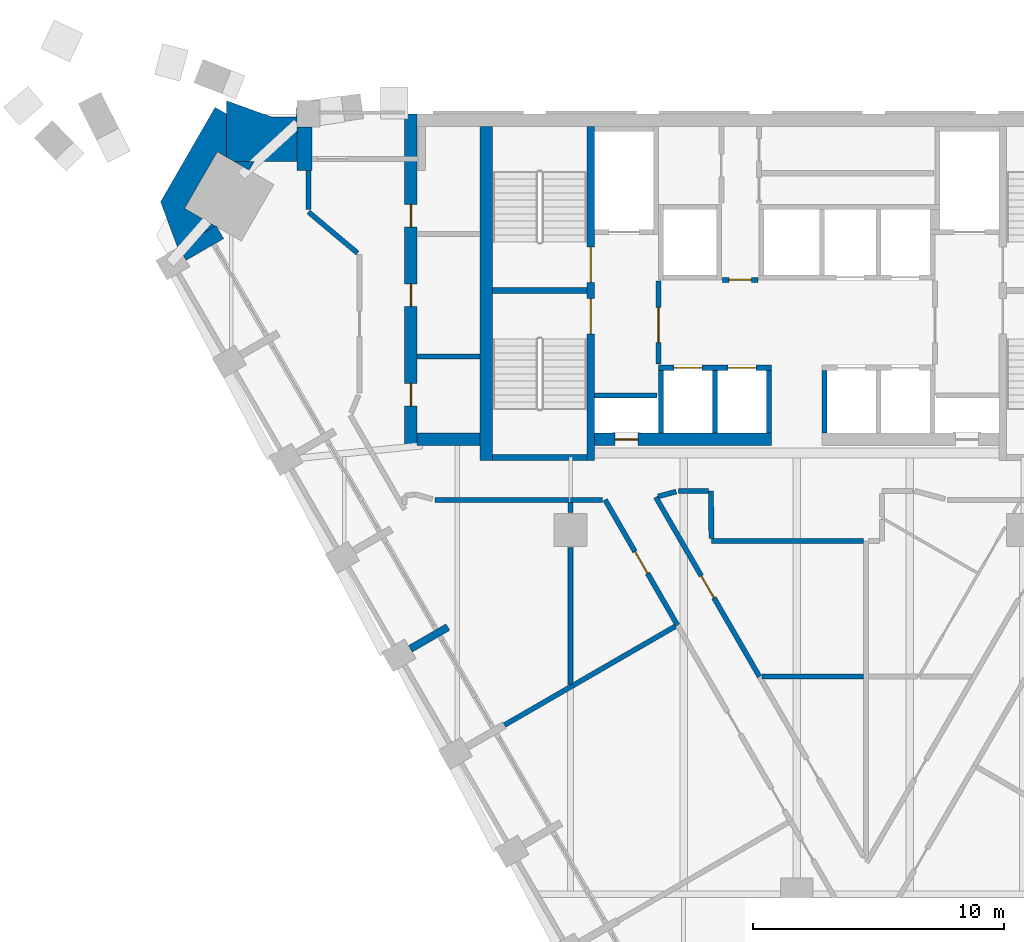
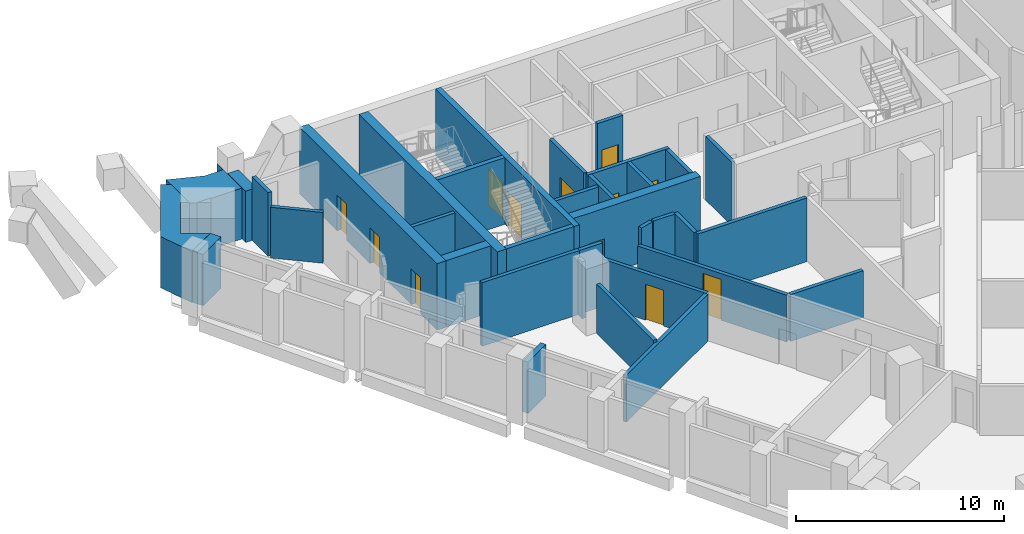
# One storey, part 5 of 10: 36 walls, 12 doors, 12 openings.
"""IFC4 building model written with IfcOpenShell, lengths in metres."""

from ifc_helpers import new_model, si_unit, direction, frame, frame_2d, origin, place, context, subcontext, project, spatial, polyline, rectangle, outline, extrude, material, layer, layer_set, type_object, element, fill, save


model = new_model("IFC4")

# Units and contexts
model_context = context("Model", 3, precision=1e-05, world=origin(), true_north=direction((0.0, 1.0)))
body_context = subcontext(model_context, "Body", "Model", "MODEL_VIEW")
ifc_project = project(units=[si_unit("LENGTHUNIT", "METRE"), si_unit("AREAUNIT", "SQUARE_METRE"), si_unit("VOLUMEUNIT", "CUBIC_METRE"), si_unit("PLANEANGLEUNIT", "RADIAN"), si_unit("MASSUNIT", "GRAM", prefix="KILO")], contexts=[model_context])

# Site, building, storey
site_placement = place(None, origin())
site = spatial("IfcSite", under=ifc_project, at=site_placement, CompositionType="ELEMENT")
building_placement = place(site_placement, origin())
building = spatial("IfcBuilding", under=site, at=building_placement, Name="Calabash Gate Tower", CompositionType="ELEMENT")
storey_placement = place(building_placement, frame((0.0, 0.0, 187.5)))
storey = spatial("IfcBuildingStorey", under=building, at=storey_placement, Name="L44", CompositionType="ELEMENT", Elevation=187.5)

# Walls
ifc_material_1 = material(Name="Terracotta brick masonry, exposed face", Category="masonry")
ifc_layer_1 = layer(ifc_material_1, 2.425048828125)
ifc_layer_set_1 = layer_set([ifc_layer_1], Name="Brick corner mass wall 2425")
wall_type_1 = type_object("IfcWallType", Name="Brick corner mass wall 2425", PredefinedType="SOLIDWALL", material=ifc_layer_set_1)
wall_1_placement = place(storey_placement, origin())
element("IfcWall", 1, at=wall_1_placement, inside=storey, type_object=wall_type_1, Name="Brick corner pier S12 4a", PredefinedType="SOLIDWALL", context=body_context, shape_type="SweptSolid", body=[
    extrude(outline(polyline([(-22.376220703125, 17.152587890625), (-19.878173828125, 17.152587890625), (-19.878173828125, 19.57763671875), (-19.916015625, 18.93701171875), (-20.916015625, 18.93701171875), (-22.68798828125, 19.57763671875), (-22.68798828125, 17.33251953125), (-22.376220703125, 17.152587890625)])), origin(), (0.0, 0.0, 1.0), 2.9736328125),
])
wall_2_placement = place(storey_placement, origin())
element("IfcWall", 2, at=wall_2_placement, inside=storey, type_object=wall_type_1, Name="Brick corner pier S12 4ba", PredefinedType="SOLIDWALL", context=body_context, shape_type="SweptSolid", body=[
    extrude(outline(polyline([(-24.630126953125, 13.730712890625), (-23.137939453125, 14.590087890625), (-24.353759765625, 15.292236328125), (-23.0537109375, 17.5439453125), (-22.68798828125, 17.33251953125), (-22.68798828125, 19.052490234375), (-23.142578125, 19.31494140625), (-25.313232421875, 15.555419921875), (-24.630126953125, 13.730712890625)])), origin(), (0.0, 0.0, 1.0), 3.0),
])
wall_3_placement = place(storey_placement, origin())
element("IfcWall", 3, at=wall_3_placement, inside=storey, type_object=wall_type_1, Name="Brick corner pier S12 4bb", PredefinedType="SOLIDWALL", context=body_context, shape_type="SweptSolid", body=[
    extrude(outline(polyline([(-21.5908203125, 17.152587890625), (-22.376220703125, 17.152587890625), (-21.787353515625, 16.8125), (-21.5908203125, 17.152587890625)])), origin(), (0.0, 0.0, 1.0), 3.0),
])
ifc_material_2 = material(Name="Terracotta brick masonry, exposed face", Category="masonry")
ifc_layer_2 = layer(ifc_material_2, 0.300048828125)
ifc_layer_set_2 = layer_set([ifc_layer_2], Name="Brick loggia cheek wall 300")
wall_type_2 = type_object("IfcWallType", Name="Brick loggia cheek wall 300", PredefinedType="SOLIDWALL", material=ifc_layer_set_2)
wall_4_placement = place(storey_placement, frame((-22.954345703125, 14.349609375, 0.0), z_axis=(0.0, 0.0, 1.0), x_axis=(-0.865994550583, -0.500053435504, 0.0)))
element("IfcWall", 4, at=wall_4_placement, inside=storey, type_object=wall_type_2, Name="Loggia cheek S12 SW0.0", PredefinedType="SOLIDWALL", context=body_context, shape_type="SweptSolid", body=[
    extrude(rectangle(XDim=1.723876953125, YDim=0.60009765625, at=frame_2d((0.86181640625, 0.0))), origin(), (0.0, 0.0, 1.0), 3.0),
])
wall_5_placement = place(storey_placement, frame((-15.373291015625, -2.231201171875, 0.0), z_axis=(0.0, 0.0, 1.0), x_axis=(0.866074815912, 0.499914405916, 0.0)))
element("IfcWall", 5, at=wall_5_placement, inside=storey, type_object=wall_type_2, Name="Loggia cheek S12 SW0.4", PredefinedType="SOLIDWALL", context=body_context, shape_type="SweptSolid", body=[
    extrude(rectangle(XDim=1.724853515625, YDim=0.300048828125, at=frame_2d((0.8623046875, 0.0))), origin(), (0.0, 0.0, 1.0), 3.0),
])
wall_6_placement = place(storey_placement, origin())
element("IfcWall", 6, at=wall_6_placement, inside=storey, type_object=wall_type_2, Name="Loggia cheek S12 N6.9", PredefinedType="SOLIDWALL", context=body_context, shape_type="SweptSolid", body=[
    extrude(outline(polyline([(-19.878173828125, 18.527587890625), (-19.878173828125, 16.802490234375), (-19.278076171875, 16.802490234375), (-19.278076171875, 18.527587890625), (-19.878173828125, 18.527587890625)])), origin(), (0.0, 0.0, 1.0), 3.0),
])
ifc_material_3 = material(Name="Gypsum board on steel studs, mineral wool", Category="steel")
ifc_layer_3 = layer(ifc_material_3, 0.199951171875)
ifc_layer_set_3 = layer_set([ifc_layer_3], Name="Core partition 200 gypsum board")
wall_type_3 = type_object("IfcWallType", Name="Core partition 200 gypsum board", PredefinedType="PARTITIONING", material=ifc_layer_set_3)
wall_7_placement = place(storey_placement, frame((-15.10009765625, 9.402587890625, 0.0), z_axis=(0.0, 0.0, 1.0), x_axis=(1.0, 0.0, 0.0)))
element("IfcWall", 7, at=wall_7_placement, inside=storey, type_object=wall_type_3, Name="Core partition", PredefinedType="PARTITIONING", context=body_context, shape_type="SweptSolid", body=[
    extrude(rectangle(XDim=2.5, YDim=0.199951171875, at=frame_2d((1.25, 0.0))), origin(), (0.0, 0.0, 1.0), 3.72998046875),
])
ifc_material_4 = material(Name="Concrete C70/85", Category="concrete")
ifc_layer_4 = layer(ifc_material_4, 0.25)
ifc_layer_set_4 = layer_set([ifc_layer_4], Name="Core wall 250 Concrete C70/85")
wall_type_4 = type_object("IfcWallType", Name="Core wall 250 Concrete C70/85", PredefinedType="SHEAR", material=ifc_layer_set_4)
for number, where, z_axis, x_axis, name in (
    (8, (-12.10009765625, 12.027587890625, 0.0), (0.0, 0.0, 1.0), (1.0, 0.0, 0.0), "Core wall Z3-MIDW L44"),
    (9, (-12.10009765625, 5.377685546875, 0.0), (0.0, 0.0, 1.0), (1.0, 0.0, 0.0), "Core wall Z3-SSW L44"),
):
    element("IfcWall", number, at=place(storey_placement, frame(where, z_axis=z_axis, x_axis=x_axis)), inside=storey, type_object=wall_type_4, Name=name, PredefinedType="SHEAR", context=body_context, shape_type="SweptSolid", body=[
        extrude(rectangle(XDim=3.75, YDim=0.25, at=frame_2d((1.875, 0.0))), origin(), (0.0, 0.0, 1.0), 3.89990234375),
    ])

# Wall, openings, doors
ifc_material_5 = material(Name="Concrete C70/85", Category="concrete")
ifc_layer_5 = layer(ifc_material_5, 0.300048828125)
ifc_layer_set_5 = layer_set([ifc_layer_5], Name="Core wall 300 Concrete C70/85")
wall_type_5 = type_object("IfcWallType", Name="Core wall 300 Concrete C70/85", PredefinedType="SHEAR", material=ifc_layer_set_5)
wall_8_placement = place(storey_placement, frame((-8.199951171875, 5.252685546875, 0.0), z_axis=(0.0, 0.0, 1.0), x_axis=(0.0, 1.0, 0.0)))
wall_8 = element("IfcWall", 10, at=wall_8_placement, inside=storey, type_object=wall_type_5, Name="Core wall Z3-PARTW L44", PredefinedType="SHEAR", context=body_context, shape_type="SweptSolid", body=[
    extrude(rectangle(XDim=13.2998046875, YDim=0.300048828125, at=frame_2d((6.64990234375, 0.0))), origin(), (0.0, 0.0, 1.0), 3.89990234375),
])
opening_1_placement = place(wall_8_placement, frame((7.10009765625, 0.0, 0.0)))
opening_1 = element("IfcOpeningElement", 11, at=opening_1_placement, cuts=wall_8, Name="Opening O4-015", PredefinedType="OPENING", context=body_context, shape_type="SweptSolid", body=[
    extrude(rectangle(XDim=1.39990234375, YDim=2.10009765625, at=frame_2d((0.699951171875, 1.050048828125))), frame((0.0, 0.159912109375, 0.0), z_axis=(0.0, -1.0, 0.0), x_axis=(1.0, 0.0, 0.0)), (0.0, 0.0, 1.0), 0.320068359375),
])
opening_2_placement = place(wall_8_placement, frame((5.050048828125, 0.0, 0.0)))
opening_2 = element("IfcOpeningElement", 12, at=opening_2_placement, cuts=wall_8, Name="Opening O4-016", PredefinedType="OPENING", context=body_context, shape_type="SweptSolid", body=[
    extrude(rectangle(XDim=1.39990234375, YDim=2.10009765625, at=frame_2d((0.699951171875, 1.050048828125))), frame((0.0, 0.159912109375, 0.0), z_axis=(0.0, -1.0, 0.0), x_axis=(1.0, 0.0, 0.0)), (0.0, 0.0, 1.0), 0.320068359375),
])
ifc_material_6 = material(Name="Steel fire door set with fire-resisting glazing", Category="steel")
door_type_1 = type_object("IfcDoorType", Name="Fire door D05 1400x2100 FD90", OperationType="NOTDEFINED", PredefinedType="DOOR", material=ifc_material_6)
door_1_placement = place(opening_1_placement, origin())
door_1 = element("IfcDoor", 13, at=door_1_placement, inside=storey, type_object=door_type_1, Name="Exit stair door ST1", OperationType="SINGLE_SWING_LEFT", OverallHeight=2.10009765625, OverallWidth=1.39990234375, PredefinedType="DOOR", context=body_context, shape_type="SweptSolid", body=[
    extrude(rectangle(XDim=1.39990234375, YDim=2.10009765625, at=frame_2d((0.699951171875, 1.050048828125))), frame((0.0, 0.02490234375, 0.0), z_axis=(0.0, -1.0, 0.0), x_axis=(1.0, 0.0, 0.0)), (0.0, 0.0, 1.0), 0.050048828125),
])
fill(opening_1, door_1)
door_2_placement = place(opening_2_placement, origin())
door_2 = element("IfcDoor", 14, at=door_2_placement, inside=storey, type_object=door_type_1, Name="Exit stair door ST2", OperationType="SINGLE_SWING_LEFT", OverallHeight=2.10009765625, OverallWidth=1.39990234375, PredefinedType="DOOR", context=body_context, shape_type="SweptSolid", body=[
    extrude(rectangle(XDim=1.39990234375, YDim=2.10009765625, at=frame_2d((0.699951171875, 1.050048828125))), frame((0.0, 0.02490234375, 0.0), z_axis=(0.0, -1.0, 0.0), x_axis=(1.0, 0.0, 0.0)), (0.0, 0.0, 1.0), 0.050048828125),
])
fill(opening_2, door_2)

# Wall
ifc_material_7 = material(Name="Concrete C70/85", Category="concrete")
ifc_layer_6 = layer(ifc_material_7, 0.5)
ifc_layer_set_6 = layer_set([ifc_layer_6], Name="Core wall 500 Concrete C70/85")
wall_type_6 = type_object("IfcWallType", Name="Core wall 500 Concrete C70/85", PredefinedType="SHEAR", material=ifc_layer_set_6)
wall_9_placement = place(storey_placement, frame((-12.35009765625, 5.252685546875, 0.0), z_axis=(0.0, 0.0, 1.0), x_axis=(0.0, 1.0, 0.0)))
element("IfcWall", 15, at=wall_9_placement, inside=storey, type_object=wall_type_6, Name="Core wall Z3-COLW L44", PredefinedType="SHEAR", context=body_context, shape_type="SweptSolid", body=[
    extrude(rectangle(XDim=13.2998046875, YDim=0.5, at=frame_2d((6.64990234375, 0.0))), origin(), (0.0, 0.0, 1.0), 3.89990234375),
])

# Wall, opening, door
wall_10_placement = place(storey_placement, frame((-8.050048828125, 6.1025390625, 0.0), z_axis=(0.0, 0.0, 1.0), x_axis=(1.0, 0.0, 0.0)))
wall_10 = element("IfcWall", 16, at=wall_10_placement, inside=storey, type_object=wall_type_6, Name="Core wall Z3-SA L44", PredefinedType="SHEAR", context=body_context, shape_type="SweptSolid", body=[
    extrude(rectangle(XDim=7.050048828125, YDim=0.5, at=frame_2d((3.52490234375, 0.0))), origin(), (0.0, 0.0, 1.0), 3.89990234375),
])
opening_3_placement = place(wall_10_placement, frame((0.824951171875, 0.0, 0.0)))
opening_3 = element("IfcOpeningElement", 17, at=opening_3_placement, cuts=wall_10, Name="Opening O4-014", PredefinedType="OPENING", context=body_context, shape_type="SweptSolid", body=[
    extrude(rectangle(XDim=0.89990234375, YDim=2.10009765625, at=frame_2d((0.449951171875, 1.050048828125))), frame((0.0, 0.260009765625, 0.0), z_axis=(0.0, -1.0, 0.0), x_axis=(1.0, 0.0, 0.0)), (0.0, 0.0, 1.0), 0.52001953125),
])
ifc_material_8 = material(Name="Steel fire door set with fire-resisting glazing", Category="steel")
door_type_2 = type_object("IfcDoorType", Name="Fire door D07 900x2100 FD90", OperationType="NOTDEFINED", PredefinedType="DOOR", material=ifc_material_8)
door_3_placement = place(opening_3_placement, origin())
door_3 = element("IfcDoor", 18, at=door_3_placement, inside=storey, type_object=door_type_2, Name="Electrical Riser W door", OperationType="SINGLE_SWING_LEFT", OverallHeight=2.10009765625, OverallWidth=0.89990234375, PredefinedType="DOOR", context=body_context, shape_type="SweptSolid", body=[
    extrude(rectangle(XDim=0.89990234375, YDim=2.10009765625, at=frame_2d((0.449951171875, 1.050048828125))), frame((0.0, 0.02490234375, 0.0), z_axis=(0.0, -1.0, 0.0), x_axis=(1.0, 0.0, 0.0)), (0.0, 0.0, 1.0), 0.050048828125),
])
fill(opening_3, door_3)

# Wall
wall_11_placement = place(storey_placement, frame((-12.60009765625, 6.1025390625, 0.0), z_axis=(0.0, 0.0, 1.0), x_axis=(-1.0, 0.0, 0.0)))
element("IfcWall", 19, at=wall_11_placement, inside=storey, type_object=wall_type_6, Name="Core wall Z3-SW L44", PredefinedType="SHEAR", context=body_context, shape_type="SweptSolid", body=[
    extrude(rectangle(XDim=2.5, YDim=0.5, at=frame_2d((1.25, 0.0))), origin(), (0.0, 0.0, 1.0), 3.89990234375),
])

# Wall, openings, doors
wall_12_placement = place(storey_placement, frame((-15.35009765625, 5.8525390625, 0.0), z_axis=(0.0, 0.0, 1.0), x_axis=(0.0, 1.0, 0.0)))
wall_12 = element("IfcWall", 20, at=wall_12_placement, inside=storey, type_object=wall_type_6, Name="Core wall Z3-ENDW L44", PredefinedType="SHEAR", context=body_context, shape_type="SweptSolid", body=[
    extrude(rectangle(XDim=13.199951171875, YDim=0.5, at=frame_2d((6.60009765625, 0.0))), origin(), (0.0, 0.0, 1.0), 3.89990234375),
])
opening_4_placement = place(wall_12_placement, frame((1.574951171875, 0.0, 0.0)))
opening_4 = element("IfcOpeningElement", 21, at=opening_4_placement, cuts=wall_12, Name="Opening O4-004", PredefinedType="OPENING", context=body_context, shape_type="SweptSolid", body=[
    extrude(rectangle(XDim=0.89990234375, YDim=2.10009765625, at=frame_2d((0.449951171875, 1.050048828125))), frame((0.0, 0.260009765625, 0.0), z_axis=(0.0, -1.0, 0.0), x_axis=(1.0, 0.0, 0.0)), (0.0, 0.0, 1.0), 0.52001953125),
])
opening_5_placement = place(wall_12_placement, frame((5.5400390625, 0.0, 0.0)))
opening_5 = element("IfcOpeningElement", 22, at=opening_5_placement, cuts=wall_12, Name="Opening O4-005", PredefinedType="OPENING", context=body_context, shape_type="SweptSolid", body=[
    extrude(rectangle(XDim=0.89990234375, YDim=2.10009765625, at=frame_2d((0.449951171875, 1.050048828125))), frame((0.0, 0.260009765625, 0.0), z_axis=(0.0, -1.0, 0.0), x_axis=(1.0, 0.0, 0.0)), (0.0, 0.0, 1.0), 0.52001953125),
])
opening_6_placement = place(wall_12_placement, frame((8.697509765625, 0.0, 0.0)))
opening_6 = element("IfcOpeningElement", 23, at=opening_6_placement, cuts=wall_12, Name="Opening O4-006", PredefinedType="OPENING", context=body_context, shape_type="SweptSolid", body=[
    extrude(rectangle(XDim=0.89990234375, YDim=2.10009765625, at=frame_2d((0.449951171875, 1.050048828125))), frame((0.0, 0.260009765625, 0.0), z_axis=(0.0, -1.0, 0.0), x_axis=(1.0, 0.0, 0.0)), (0.0, 0.0, 1.0), 0.52001953125),
])
ifc_material_9 = material(Name="Steel fire door set with fire-resisting glazing", Category="steel")
door_type_3 = type_object("IfcDoorType", Name="Fire door D06 900x2100 FD60", OperationType="NOTDEFINED", PredefinedType="DOOR", material=ifc_material_9)
door_4_placement = place(opening_4_placement, origin())
door_4 = element("IfcDoor", 24, at=door_4_placement, inside=storey, type_object=door_type_3, Name="Meter Room door", OperationType="SINGLE_SWING_LEFT", OverallHeight=2.10009765625, OverallWidth=0.89990234375, PredefinedType="DOOR", context=body_context, shape_type="SweptSolid", body=[
    extrude(rectangle(XDim=0.89990234375, YDim=2.10009765625, at=frame_2d((0.449951171875, 1.050048828125))), frame((0.0, 0.02490234375, 0.0), z_axis=(0.0, -1.0, 0.0), x_axis=(1.0, 0.0, 0.0)), (0.0, 0.0, 1.0), 0.050048828125),
])
fill(opening_4, door_4)
door_5_placement = place(opening_5_placement, origin())
door_5 = element("IfcDoor", 25, at=door_5_placement, inside=storey, type_object=door_type_3, Name="Men's WC door", OperationType="SINGLE_SWING_LEFT", OverallHeight=2.10009765625, OverallWidth=0.89990234375, PredefinedType="DOOR", context=body_context, shape_type="SweptSolid", body=[
    extrude(rectangle(XDim=0.89990234375, YDim=2.10009765625, at=frame_2d((0.449951171875, 1.050048828125))), frame((0.0, 0.02490234375, 0.0), z_axis=(0.0, -1.0, 0.0), x_axis=(1.0, 0.0, 0.0)), (0.0, 0.0, 1.0), 0.050048828125),
])
fill(opening_5, door_5)
door_6_placement = place(opening_6_placement, origin())
door_6 = element("IfcDoor", 26, at=door_6_placement, inside=storey, type_object=door_type_3, Name="Women's WC door", OperationType="SINGLE_SWING_LEFT", OverallHeight=2.10009765625, OverallWidth=0.89990234375, PredefinedType="DOOR", context=body_context, shape_type="SweptSolid", body=[
    extrude(rectangle(XDim=0.89990234375, YDim=2.10009765625, at=frame_2d((0.449951171875, 1.050048828125))), frame((0.0, 0.02490234375, 0.0), z_axis=(0.0, -1.0, 0.0), x_axis=(1.0, 0.0, 0.0)), (0.0, 0.0, 1.0), 0.050048828125),
])
fill(opening_6, door_6)

# Walls
ifc_material_10 = material(Name="Gypsum board on steel studs, mineral wool", Category="steel")
ifc_layer_7 = layer(ifc_material_10, 0.199951171875)
ifc_layer_set_7 = layer_set([ifc_layer_7], Name="Partition 200 gypsum board EI 60")
wall_type_7 = type_object("IfcWallType", Name="Partition 200 gypsum board EI 60", PredefinedType="PARTITIONING", material=ifc_layer_set_7)
wall_13_placement = place(storey_placement, frame((-11.629638671875, -5.265380859375, 0.0), z_axis=(0.0, 0.0, 1.0), x_axis=(0.865784523432, 0.500416985109, 0.0)))
element("IfcWall", 27, at=wall_13_placement, inside=storey, type_object=wall_type_7, Name="Partition", PredefinedType="PARTITIONING", context=body_context, shape_type="SweptSolid", body=[
    extrude(rectangle(XDim=7.849365234375, YDim=0.199951171875, at=frame_2d((3.9248046875, 0.0))), origin(), (0.0, 0.0, 1.0), 2.74169921875),
])
wall_14_placement = place(storey_placement, frame((-9.001708984375, -3.646484375, 0.0), z_axis=(0.0, 0.0, 1.0), x_axis=(0.000268949741, 0.999999963833, 0.0)))
element("IfcWall", 28, at=wall_14_placement, inside=storey, type_object=wall_type_7, Name="Partition", PredefinedType="PARTITIONING", context=body_context, shape_type="SweptSolid", body=[
    extrude(rectangle(XDim=5.446533203125, YDim=0.199951171875, at=frame_2d((2.72314453125, 0.0))), origin(), (0.0, 0.0, 1.0), 2.884033203125),
])
wall_15_placement = place(storey_placement, frame((-1.379638671875, -3.341796875, 0.0), z_axis=(0.0, 0.0, 1.0), x_axis=(1.0, 0.0, 0.0)))
element("IfcWall", 29, at=wall_15_placement, inside=storey, type_object=wall_type_7, Name="Partition", PredefinedType="PARTITIONING", context=body_context, shape_type="SweptSolid", body=[
    extrude(rectangle(XDim=4.033935546875, YDim=0.199951171875, at=frame_2d((2.01708984375, 0.0))), origin(), (0.0, 0.0, 1.0), 2.74169921875),
])

# Wall, opening, door
wall_16_placement = place(storey_placement, frame((-7.626220703125, 3.699462890625, 0.0), z_axis=(0.0, 0.0, 1.0), x_axis=(0.499998744741, -0.866026128507, 0.0)))
wall_16 = element("IfcWall", 30, at=wall_16_placement, inside=storey, type_object=wall_type_7, Name="Partition", PredefinedType="PARTITIONING", context=body_context, shape_type="SweptSolid", body=[
    extrude(rectangle(XDim=5.76220703125, YDim=0.199951171875, at=frame_2d((2.881103515625, 0.0))), origin(), (0.0, 0.0, 1.0), 2.74169921875),
])
opening_7_placement = place(wall_16_placement, frame((2.381103515625, 0.0, 0.0)))
opening_7 = element("IfcOpeningElement", 31, at=opening_7_placement, cuts=wall_16, Name="Opening 42-44-012", PredefinedType="OPENING", context=body_context, shape_type="SweptSolid", body=[
    extrude(rectangle(XDim=1.0, YDim=2.10009765625, at=frame_2d((0.5, 1.050048828125))), frame((0.0, 0.10986328125, 0.0), z_axis=(0.0, -1.0, 0.0), x_axis=(1.0, 0.0, 0.0)), (0.0, 0.0, 1.0), 0.219970703125),
])
ifc_material_11 = material(Name="Steel fire door set with fire-resisting glazing", Category="steel")
door_type_4 = type_object("IfcDoorType", Name="LD2 Meeting room door 1000x2100", OperationType="NOTDEFINED", PredefinedType="DOOR", material=ifc_material_11)
door_7_placement = place(opening_7_placement, origin())
door_7 = element("IfcDoor", 32, at=door_7_placement, inside=storey, type_object=door_type_4, Name="Meeting room door", OperationType="SINGLE_SWING_LEFT", OverallHeight=2.10009765625, OverallWidth=1.0, PredefinedType="DOOR", context=body_context, shape_type="SweptSolid", body=[
    extrude(rectangle(XDim=1.0, YDim=2.10009765625, at=frame_2d((0.5, 1.050048828125))), frame((0.0, 0.02490234375, 0.0), z_axis=(0.0, -1.0, 0.0), x_axis=(1.0, 0.0, 0.0)), (0.0, 0.0, 1.0), 0.050048828125),
])
fill(opening_7, door_7)

# Walls
wall_17_placement = place(storey_placement, frame((-3.400146484375, 2.052490234375, 0.0), z_axis=(0.0, 0.0, 1.0), x_axis=(0.999999947967, -0.000322593636, 0.0)))
element("IfcWall", 33, at=wall_17_placement, inside=storey, type_object=wall_type_7, Name="Partition", PredefinedType="PARTITIONING", context=body_context, shape_type="SweptSolid", body=[
    extrude(rectangle(XDim=6.054443359375, YDim=0.199951171875, at=frame_2d((3.02734375, 0.0))), origin(), (0.0, 0.0, 1.0), 3.72998046875),
])
wall_18_placement = place(storey_placement, frame((-3.402099609375, 4.050537109375, 0.0), z_axis=(0.0, 0.0, 1.0), x_axis=(0.001028938362, -0.999999470643, 0.0)))
element("IfcWall", 34, at=wall_18_placement, inside=storey, type_object=wall_type_7, Name="Partition", PredefinedType="PARTITIONING", context=body_context, shape_type="SweptSolid", body=[
    extrude(rectangle(XDim=1.898193359375, YDim=0.199951171875, at=frame_2d((0.94921875, 0.0))), origin(), (0.0, 0.0, 1.0), 3.72998046875),
])
wall_19_placement = place(storey_placement, frame((-9.001708984375, 3.599609375, 0.0), z_axis=(0.0, 0.0, 1.0), x_axis=(0.003665216676, -0.999993283071, 0.0)))
element("IfcWall", 35, at=wall_19_placement, inside=storey, type_object=wall_type_7, Name="Partition", PredefinedType="PARTITIONING", context=body_context, shape_type="SweptSolid", body=[
    extrude(rectangle(XDim=0.399658203125, YDim=0.199951171875, at=frame_2d((0.19970703125, 0.0))), origin(), (0.0, 0.0, 1.0), 3.33154296875),
])
wall_20_placement = place(storey_placement, frame((-14.39990234375, 3.699462890625, 0.0), z_axis=(0.0, 0.0, 1.0), x_axis=(0.999999963202, -0.000271284522, 0.0)))
element("IfcWall", 36, at=wall_20_placement, inside=storey, type_object=wall_type_7, Name="Partition", PredefinedType="PARTITIONING", context=body_context, shape_type="SweptSolid", body=[
    extrude(rectangle(XDim=5.399658203125, YDim=0.199951171875, at=frame_2d((2.69970703125, 0.0))), origin(), (0.0, 0.0, 1.0), 3.72998046875),
])
wall_21_placement = place(storey_placement, frame((-9.0, 3.697998046875, 0.0), z_axis=(0.0, 0.0, 1.0), x_axis=(0.999999338651, 0.001150085496, 0.0)))
element("IfcWall", 37, at=wall_21_placement, inside=storey, type_object=wall_type_7, Name="Partition", PredefinedType="PARTITIONING", context=body_context, shape_type="SweptSolid", body=[
    extrude(rectangle(XDim=1.273681640625, YDim=0.199951171875, at=frame_2d((0.63671875, 0.0))), origin(), (0.0, 0.0, 1.0), 3.72998046875),
])

# Wall, opening, door
wall_22_placement = place(storey_placement, frame((-5.6083984375, 3.805908203125, 0.0), z_axis=(0.0, 0.0, 1.0), x_axis=(0.500189366784, -0.865916045212, 0.0)))
wall_22 = element("IfcWall", 38, at=wall_22_placement, inside=storey, type_object=wall_type_7, Name="Partition", PredefinedType="PARTITIONING", context=body_context, shape_type="SweptSolid", body=[
    extrude(rectangle(XDim=8.252197265625, YDim=0.199951171875, at=frame_2d((4.1259765625, 0.0))), origin(), (0.0, 0.0, 1.0), 2.74169921875),
])
opening_8_placement = place(wall_22_placement, frame((3.62548828125, 0.0, 0.0)))
opening_8 = element("IfcOpeningElement", 39, at=opening_8_placement, cuts=wall_22, Name="Opening 42-44-006", PredefinedType="OPENING", context=body_context, shape_type="SweptSolid", body=[
    extrude(rectangle(XDim=1.0, YDim=2.39990234375, at=frame_2d((0.5, 1.199951171875))), frame((0.0, 0.10986328125, 0.0), z_axis=(0.0, -1.0, 0.0), x_axis=(1.0, 0.0, 0.0)), (0.0, 0.0, 1.0), 0.219970703125),
])
ifc_material_12 = material(Name="Painted timber door", Category="wood")
door_type_5 = type_object("IfcDoorType", Name="OD2 Glazed office door 1000x2400", OperationType="NOTDEFINED", PredefinedType="DOOR", material=ifc_material_12)
door_8_placement = place(opening_8_placement, origin())
door_8 = element("IfcDoor", 40, at=door_8_placement, inside=storey, type_object=door_type_5, Name="Glazed office door", OperationType="SINGLE_SWING_LEFT", OverallHeight=2.39990234375, OverallWidth=1.0, PredefinedType="DOOR", context=body_context, shape_type="SweptSolid", body=[
    extrude(rectangle(XDim=1.0, YDim=2.39990234375, at=frame_2d((0.5, 1.199951171875))), frame((0.0, 0.02490234375, 0.0), z_axis=(0.0, -1.0, 0.0), x_axis=(1.0, 0.0, 0.0)), (0.0, 0.0, 1.0), 0.050048828125),
])
fill(opening_8, door_8)

# Walls
wall_23_placement = place(storey_placement, frame((-5.511962890625, 3.83203125, 0.0), z_axis=(0.0, 0.0, 1.0), x_axis=(0.965127638193, 0.261779758568, 0.0)))
element("IfcWall", 41, at=wall_23_placement, inside=storey, type_object=wall_type_7, Name="Partition", PredefinedType="PARTITIONING", context=body_context, shape_type="SweptSolid", body=[
    extrude(rectangle(XDim=0.741455078125, YDim=0.199951171875, at=frame_2d((0.37060546875, 0.0))), origin(), (0.0, 0.0, 1.0), 3.72998046875),
])
wall_24_placement = place(storey_placement, frame((-4.699951171875, 4.052490234375, 0.0), z_axis=(0.0, 0.0, 1.0), x_axis=(0.999998982503, -0.001426532072, 0.0)))
element("IfcWall", 42, at=wall_24_placement, inside=storey, type_object=wall_type_7, Name="Partition", PredefinedType="PARTITIONING", context=body_context, shape_type="SweptSolid", body=[
    extrude(rectangle(XDim=1.197998046875, YDim=0.199951171875, at=frame_2d((0.59912109375, 0.0))), origin(), (0.0, 0.0, 1.0), 3.72998046875),
])
wall_25_placement = place(storey_placement, frame((-19.428466796875, 15.15234375, 0.0), z_axis=(0.0, 0.0, 1.0), x_axis=(0.766371208191, -0.642397985097, 0.0)))
element("IfcWall", 43, at=wall_25_placement, inside=storey, type_object=wall_type_7, Name="Partition", PredefinedType="PARTITIONING", context=body_context, shape_type="SweptSolid", body=[
    extrude(rectangle(XDim=2.54638671875, YDim=0.199951171875, at=frame_2d((1.273193359375, 0.0))), origin(), (0.0, 0.0, 1.0), 2.9736328125),
])
wall_26_placement = place(storey_placement, frame((-19.4287109375, 16.802490234375, 0.0), z_axis=(0.0, 0.0, 1.0), x_axis=(0.000157480313, -0.9999999876, 0.0)))
element("IfcWall", 44, at=wall_26_placement, inside=storey, type_object=wall_type_7, Name="Partition", PredefinedType="PARTITIONING", context=body_context, shape_type="SweptSolid", body=[
    extrude(rectangle(XDim=1.55029296875, YDim=0.199951171875, at=frame_2d((0.775146484375, 0.0))), origin(), (0.0, 0.0, 1.0), 3.72998046875),
])
ifc_material_13 = material(Name="Concrete C40/50", Category="concrete")
ifc_layer_8 = layer(ifc_material_13, 0.199951171875)
ifc_layer_set_8 = layer_set([ifc_layer_8], Name="Shaft wall 200 Concrete C40/50")
wall_type_8 = type_object("IfcWallType", Name="Shaft wall 200 Concrete C40/50", PredefinedType="SOLIDWALL", material=ifc_layer_set_8)
for number, where, z_axis, x_axis, name in (
    (45, (-5.39990234375, 6.3525390625, 0.0), (0.0, 0.0, 1.0), (0.0, 1.0, 0.0), "Shaft wall"),
    (46, (-3.25, 6.3525390625, 0.0), (0.0, 0.0, 1.0), (0.0, 1.0, 0.0), "Shaft wall"),
    (47, (-1.10009765625, 6.3525390625, 0.0), (0.0, 0.0, 1.0), (0.0, 1.0, 0.0), "Shaft wall"),
    (48, (1.10009765625, 6.3525390625, 0.0), (0.0, 0.0, 1.0), (0.0, 1.0, 0.0), "Shaft wall"),
    (49, (-8.050048828125, 7.8525390625, 0.0), (0.0, 0.0, 1.0), (1.0, 0.0, 0.0), "Shaft wall"),
):
    element("IfcWall", number, at=place(storey_placement, frame(where, z_axis=z_axis, x_axis=x_axis)), inside=storey, type_object=wall_type_8, Name=name, PredefinedType="SOLIDWALL", context=body_context, shape_type="SweptSolid", body=[
        extrude(rectangle(XDim=2.5, YDim=0.199951171875, at=frame_2d((1.25, 0.0))), origin(), (0.0, 0.0, 1.0), 3.72998046875),
    ])

# Wall, openings, doors
wall_27_placement = place(storey_placement, frame((-5.5, 8.95263671875, 0.0), z_axis=(0.0, 0.0, 1.0), x_axis=(1.0, 0.0, 0.0)))
wall_27 = element("IfcWall", 50, at=wall_27_placement, inside=storey, type_object=wall_type_8, Name="Shaft wall", PredefinedType="SOLIDWALL", context=body_context, shape_type="SweptSolid", body=[
    extrude(rectangle(XDim=4.5, YDim=0.199951171875, at=frame_2d((2.25, 0.0))), origin(), (0.0, 0.0, 1.0), 3.72998046875),
])
opening_9_placement = place(wall_27_placement, frame((0.625, 0.0, 0.0)))
opening_9 = element("IfcOpeningElement", 51, at=opening_9_placement, cuts=wall_27, Name="Opening LD-HR1", PredefinedType="OPENING", context=body_context, shape_type="SweptSolid", body=[
    extrude(rectangle(XDim=1.10009765625, YDim=2.10009765625, at=frame_2d((0.550048828125, 1.050048828125))), frame((0.0, 0.10986328125, 0.0), z_axis=(0.0, -1.0, 0.0), x_axis=(1.0, 0.0, 0.0)), (0.0, 0.0, 1.0), 0.219970703125),
])
opening_10_placement = place(wall_27_placement, frame((2.77490234375, 0.0, 0.0)))
opening_10 = element("IfcOpeningElement", 52, at=opening_10_placement, cuts=wall_27, Name="Opening LD-HR2", PredefinedType="OPENING", context=body_context, shape_type="SweptSolid", body=[
    extrude(rectangle(XDim=1.10009765625, YDim=2.10009765625, at=frame_2d((0.550048828125, 1.050048828125))), frame((0.0, 0.10986328125, 0.0), z_axis=(0.0, -1.0, 0.0), x_axis=(1.0, 0.0, 0.0)), (0.0, 0.0, 1.0), 0.219970703125),
])
ifc_material_14 = material(Name="Stainless steel sliding door leaves", Category="steel")
door_type_6 = type_object("IfcDoorType", Name="Lift landing door LS1 1100x2100 FD90", OperationType="DOUBLE_DOOR_SLIDING", PredefinedType="DOOR", material=ifc_material_14)
door_9_placement = place(opening_9_placement, origin())
door_9 = element("IfcDoor", 53, at=door_9_placement, inside=storey, type_object=door_type_6, Name="Lift landing door HR1", OperationType="DOUBLE_DOOR_SLIDING", OverallHeight=2.10009765625, OverallWidth=1.10009765625, PredefinedType="DOOR", context=body_context, shape_type="SweptSolid", body=[
    extrude(rectangle(XDim=1.10009765625, YDim=2.10009765625, at=frame_2d((0.550048828125, 1.050048828125))), frame((0.0, 0.02490234375, 0.0), z_axis=(0.0, -1.0, 0.0), x_axis=(1.0, 0.0, 0.0)), (0.0, 0.0, 1.0), 0.050048828125),
])
fill(opening_9, door_9)
door_10_placement = place(opening_10_placement, origin())
door_10 = element("IfcDoor", 54, at=door_10_placement, inside=storey, type_object=door_type_6, Name="Lift landing door HR2", OperationType="DOUBLE_DOOR_SLIDING", OverallHeight=2.10009765625, OverallWidth=1.10009765625, PredefinedType="DOOR", context=body_context, shape_type="SweptSolid", body=[
    extrude(rectangle(XDim=1.10009765625, YDim=2.10009765625, at=frame_2d((0.550048828125, 1.050048828125))), frame((0.0, 0.02490234375, 0.0), z_axis=(0.0, -1.0, 0.0), x_axis=(1.0, 0.0, 0.0)), (0.0, 0.0, 1.0), 0.050048828125),
])
fill(opening_10, door_10)

# Wall, opening, door
wall_28_placement = place(storey_placement, frame((-5.5, 9.1025390625, 0.0), z_axis=(0.0, 0.0, 1.0), x_axis=(0.0, 1.0, 0.0)))
wall_28 = element("IfcWall", 55, at=wall_28_placement, inside=storey, type_object=wall_type_8, Name="Shaft wall", PredefinedType="SOLIDWALL", context=body_context, shape_type="SweptSolid", body=[
    extrude(rectangle(XDim=3.300048828125, YDim=0.199951171875, at=frame_2d((1.64990234375, 0.0))), origin(), (0.0, 0.0, 1.0), 3.72998046875),
])
opening_11_placement = place(wall_28_placement, frame((0.85009765625, 0.0, 0.0)))
opening_11 = element("IfcOpeningElement", 56, at=opening_11_placement, cuts=wall_28, Name="Opening O4-009", PredefinedType="OPENING", context=body_context, shape_type="SweptSolid", body=[
    extrude(rectangle(XDim=1.39990234375, YDim=2.10009765625, at=frame_2d((0.699951171875, 1.050048828125))), frame((0.0, 0.10986328125, 0.0), z_axis=(0.0, -1.0, 0.0), x_axis=(1.0, 0.0, 0.0)), (0.0, 0.0, 1.0), 0.219970703125),
])
door_11_placement = place(opening_11_placement, origin())
door_11 = element("IfcDoor", 57, at=door_11_placement, inside=storey, type_object=door_type_1, Name="Firefighting Lobby W door", OperationType="SINGLE_SWING_RIGHT", OverallHeight=2.10009765625, OverallWidth=1.39990234375, PredefinedType="DOOR", context=body_context, shape_type="SweptSolid", body=[
    extrude(rectangle(XDim=1.39990234375, YDim=2.10009765625, at=frame_2d((0.699951171875, 1.050048828125))), frame((0.0, 0.02490234375, 0.0), z_axis=(0.0, -1.0, 0.0), x_axis=(1.0, 0.0, 0.0)), (0.0, 0.0, 1.0), 0.050048828125),
])
fill(opening_11, door_11)

wall_29_placement = place(storey_placement, frame((-2.949951171875, 12.45263671875, 0.0), z_axis=(0.0, 0.0, 1.0), x_axis=(1.0, 0.0, 0.0)))
wall_29 = element("IfcWall", 58, at=wall_29_placement, inside=storey, type_object=wall_type_8, Name="Shaft wall", PredefinedType="SOLIDWALL", context=body_context, shape_type="SweptSolid", body=[
    extrude(rectangle(XDim=1.39990234375, YDim=0.199951171875, at=frame_2d((0.699951171875, 0.0))), origin(), (0.0, 0.0, 1.0), 3.72998046875),
])
opening_12_placement = place(wall_29_placement, frame((0.25, 0.0, 0.0)))
opening_12 = element("IfcOpeningElement", 59, at=opening_12_placement, cuts=wall_29, Name="Opening O4-007", PredefinedType="OPENING", context=body_context, shape_type="SweptSolid", body=[
    extrude(rectangle(XDim=0.89990234375, YDim=2.10009765625, at=frame_2d((0.449951171875, 1.050048828125))), frame((0.0, 0.10986328125, 0.0), z_axis=(0.0, -1.0, 0.0), x_axis=(1.0, 0.0, 0.0)), (0.0, 0.0, 1.0), 0.219970703125),
])
door_12_placement = place(opening_12_placement, origin())
door_12 = element("IfcDoor", 60, at=door_12_placement, inside=storey, type_object=door_type_3, Name="Service Corridor door", OperationType="SINGLE_SWING_RIGHT", OverallHeight=2.10009765625, OverallWidth=0.89990234375, PredefinedType="DOOR", context=body_context, shape_type="SweptSolid", body=[
    extrude(rectangle(XDim=0.89990234375, YDim=2.10009765625, at=frame_2d((0.449951171875, 1.050048828125))), frame((0.0, 0.02490234375, 0.0), z_axis=(0.0, -1.0, 0.0), x_axis=(1.0, 0.0, 0.0)), (0.0, 0.0, 1.0), 0.050048828125),
])
fill(opening_12, door_12)

save(model, "model.ifc")
